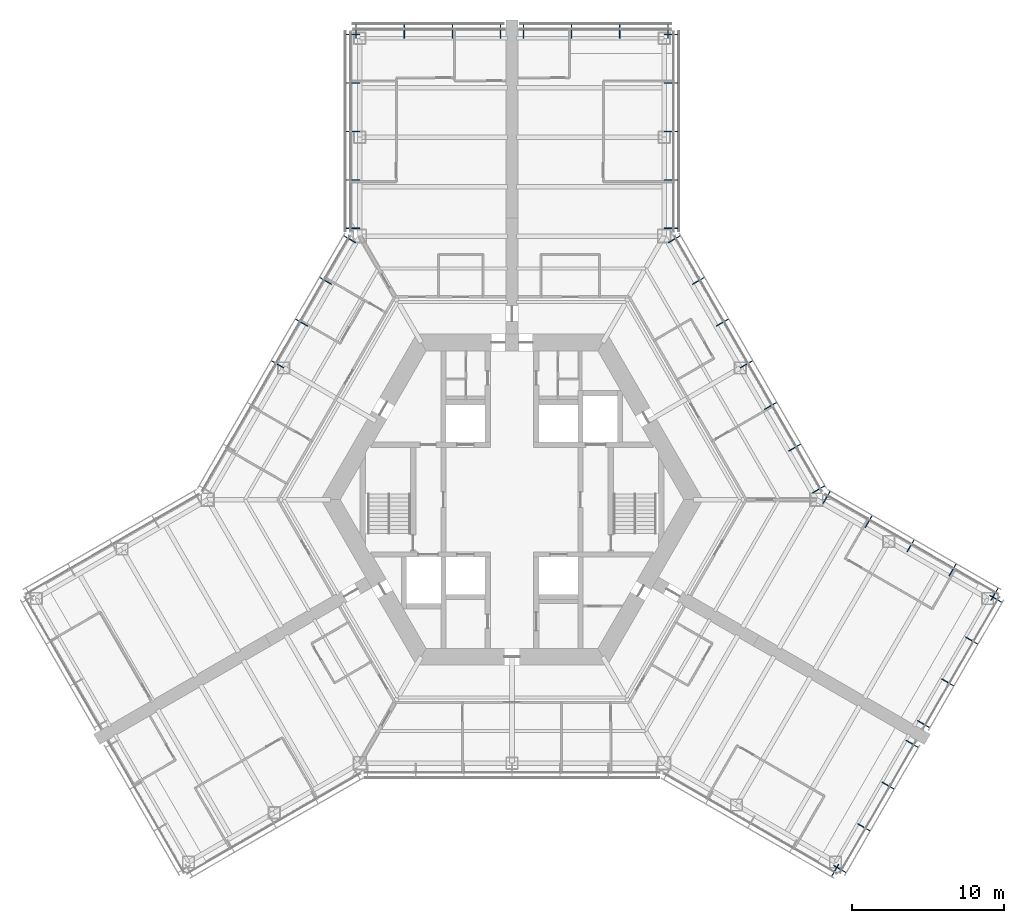
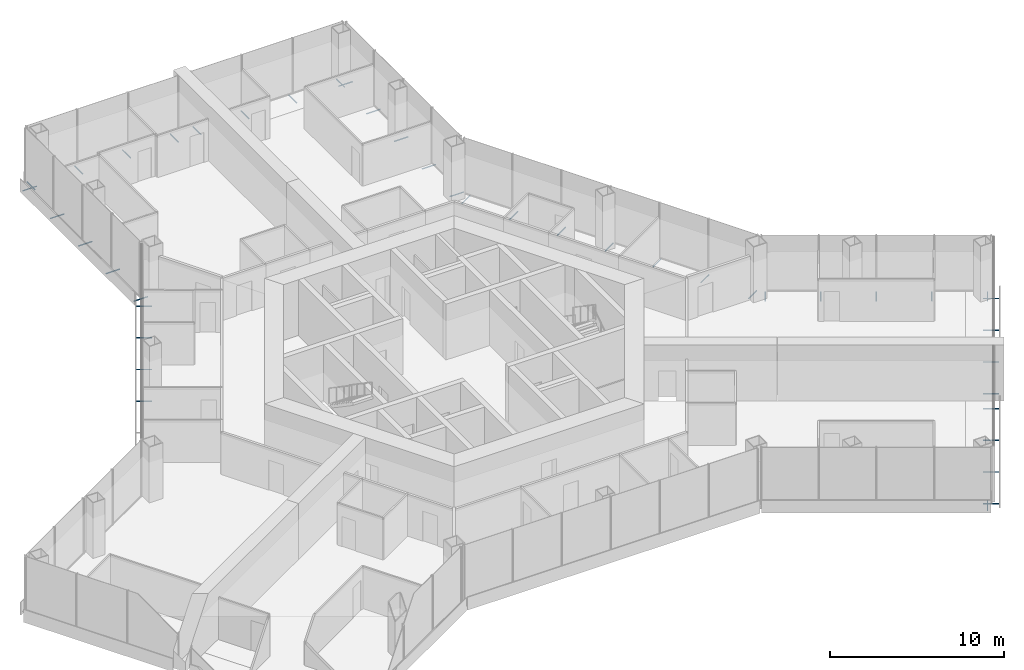
# One storey, part 17 of 19: 43 discrete accessories.
"""IFC4 building model written with IfcOpenShell, lengths in metres."""

from ifc_helpers import new_model, si_unit, direction, frame, origin, origin_2d, place, context, subcontext, project, spatial, hollow_circle, extrude, material, material_profile, profile_set, type_object, element, save


model = new_model("IFC4")

# Units and contexts
model_context = context("Model", 3, precision=1e-05, world=origin(), true_north=direction((0.0, 1.0)))
body_context = subcontext(model_context, "Body", "Model", "MODEL_VIEW")
ifc_project = project(units=[si_unit("LENGTHUNIT", "METRE"), si_unit("AREAUNIT", "SQUARE_METRE"), si_unit("VOLUMEUNIT", "CUBIC_METRE"), si_unit("PLANEANGLEUNIT", "RADIAN"), si_unit("MASSUNIT", "GRAM", prefix="KILO")], contexts=[model_context])

# Site, building, storey
site_placement = place(None, origin())
site = spatial("IfcSite", under=ifc_project, at=site_placement, CompositionType="ELEMENT")
building_placement = place(site_placement, origin())
building = spatial("IfcBuilding", under=site, at=building_placement, Name="Kasaneha Research Tower", CompositionType="ELEMENT")
storey_placement = place(building_placement, frame((0.0, 0.0, 92.39990234375)))
storey = spatial("IfcBuildingStorey", under=building, at=storey_placement, Name="L23", CompositionType="ELEMENT", Elevation=92.39990234375)

# Discrete accessories
ifc_material = material(Name="Steel STK400", Category="steel")
ifc_material_profile = material_profile(ifc_material, hollow_circle(Radius=0.0380859375, WallThickness=0.00390625, at=origin_2d()), Name="CHS-76.3x4.0")
ifc_profile_set = profile_set([ifc_material_profile], Name="Steel STK400")
discrete_accessory_type = type_object("IfcDiscreteAccessoryType", Name="Screen bracket CHS-76.3x4.0", PredefinedType="BRACKET", material=ifc_profile_set)
discrete_accessory_1_placement = place(storey_placement, frame((21.474853515625, -23.945556640625, -0.2998046875), z_axis=(-0.500021113727, -0.866013213425, 0.0), x_axis=(0.866013213425, -0.500021113727, 0.0)))
element("IfcDiscreteAccessory", 1, at=discrete_accessory_1_placement, inside=storey, type_object=discrete_accessory_type, Name="Screen bracket 5", PredefinedType="BRACKET", context=body_context, shape_type="SweptSolid", body=[
    extrude(hollow_circle(Radius=0.0380859375, WallThickness=0.00390625, at=origin_2d()), origin(), (0.0, 0.0, 1.0), 0.919921875),
])
for number, where, z_axis, x_axis, name in (
    (2, (21.13330078125, -24.037109375, -0.2998046875), (0.866079547155, -0.499906209203, 0.0), (0.499906209203, 0.866079547155, 0.0), "Screen bracket 1"),
    (3, (22.716552734375, -21.294677734375, -0.2998046875), (0.866079547155, -0.499906209203, 0.0), (0.499906209203, 0.866079547155, 0.0), "Screen bracket 2"),
):
    element("IfcDiscreteAccessory", number, at=place(storey_placement, frame(where, z_axis=z_axis, x_axis=x_axis)), inside=storey, type_object=discrete_accessory_type, Name=name, PredefinedType="BRACKET", context=body_context, shape_type="SweptSolid", body=[
        extrude(hollow_circle(Radius=0.0380859375, WallThickness=0.00390625, at=origin_2d()), origin(), (0.0, 0.0, 1.0), 0.920166015625),
    ])
discrete_accessory_2_placement = place(storey_placement, frame((24.300048828125, -18.55224609375, -0.2998046875), z_axis=(0.866013213425, -0.500021113727, 0.0), x_axis=(0.500021113727, 0.866013213425, 0.0)))
element("IfcDiscreteAccessory", 4, at=discrete_accessory_2_placement, inside=storey, type_object=discrete_accessory_type, Name="Screen bracket 3", PredefinedType="BRACKET", context=body_context, shape_type="SweptSolid", body=[
    extrude(hollow_circle(Radius=0.0380859375, WallThickness=0.00390625, at=origin_2d()), origin(), (0.0, 0.0, 1.0), 0.919921875),
])
for number, where, z_axis, x_axis, name in (
    (5, (25.88330078125, -15.809814453125, -0.2998046875), (0.866079547155, -0.499906209203, 0.0), (0.499906209203, 0.866079547155, 0.0), "Screen bracket 4"),
    (6, (26.63330078125, -14.5107421875, -0.2998046875), (0.866079547155, -0.499906209203, 0.0), (0.499906209203, 0.866079547155, 0.0), "Screen bracket 1"),
    (7, (28.216552734375, -11.768310546875, -0.2998046875), (0.866079547155, -0.499906209203, 0.0), (0.499906209203, 0.866079547155, 0.0), "Screen bracket 2"),
):
    element("IfcDiscreteAccessory", number, at=place(storey_placement, frame(where, z_axis=z_axis, x_axis=x_axis)), inside=storey, type_object=discrete_accessory_type, Name=name, PredefinedType="BRACKET", context=body_context, shape_type="SweptSolid", body=[
        extrude(hollow_circle(Radius=0.0380859375, WallThickness=0.00390625, at=origin_2d()), origin(), (0.0, 0.0, 1.0), 0.920166015625),
    ])
discrete_accessory_3_placement = place(storey_placement, frame((29.800048828125, -9.02587890625, -0.2998046875), z_axis=(0.866013213425, -0.500021113727, 0.0), x_axis=(0.500021113727, 0.866013213425, 0.0)))
element("IfcDiscreteAccessory", 8, at=discrete_accessory_3_placement, inside=storey, type_object=discrete_accessory_type, Name="Screen bracket 3", PredefinedType="BRACKET", context=body_context, shape_type="SweptSolid", body=[
    extrude(hollow_circle(Radius=0.0380859375, WallThickness=0.00390625, at=origin_2d()), origin(), (0.0, 0.0, 1.0), 0.919921875),
])
discrete_accessory_4_placement = place(storey_placement, frame((31.38330078125, -6.283447265625, -0.2998046875), z_axis=(0.866079547155, -0.499906209203, 0.0), x_axis=(0.499906209203, 0.866079547155, 0.0)))
element("IfcDiscreteAccessory", 9, at=discrete_accessory_4_placement, inside=storey, type_object=discrete_accessory_type, Name="Screen bracket 4", PredefinedType="BRACKET", context=body_context, shape_type="SweptSolid", body=[
    extrude(hollow_circle(Radius=0.0380859375, WallThickness=0.00390625, at=origin_2d()), origin(), (0.0, 0.0, 1.0), 0.920166015625),
])
discrete_accessory_5_placement = place(storey_placement, frame((31.474853515625, -6.625, -0.2998046875), z_axis=(0.500021113727, 0.866013213425, 0.0), x_axis=(-0.866013213425, 0.500021113727, 0.0)))
element("IfcDiscreteAccessory", 10, at=discrete_accessory_5_placement, inside=storey, type_object=discrete_accessory_type, Name="Screen bracket 1", PredefinedType="BRACKET", context=body_context, shape_type="SweptSolid", body=[
    extrude(hollow_circle(Radius=0.0380859375, WallThickness=0.00390625, at=origin_2d()), origin(), (0.0, 0.0, 1.0), 0.919921875),
])
discrete_accessory_6_placement = place(storey_placement, frame((28.716796875, -5.03271484375, -0.2998046875), z_axis=(0.499906209203, 0.866079547155, 0.0), x_axis=(-0.866079547155, 0.499906209203, 0.0)))
element("IfcDiscreteAccessory", 11, at=discrete_accessory_6_placement, inside=storey, type_object=discrete_accessory_type, Name="Screen bracket 2", PredefinedType="BRACKET", context=body_context, shape_type="SweptSolid", body=[
    extrude(hollow_circle(Radius=0.0380859375, WallThickness=0.00390625, at=origin_2d()), origin(), (0.0, 0.0, 1.0), 0.920166015625),
])
discrete_accessory_7_placement = place(storey_placement, frame((25.95849609375, -3.440185546875, -0.2998046875), z_axis=(0.500220121494, 0.865898279276, 0.0), x_axis=(-0.865898279276, 0.500220121494, 0.0)))
element("IfcDiscreteAccessory", 12, at=discrete_accessory_7_placement, inside=storey, type_object=discrete_accessory_type, Name="Screen bracket 3", PredefinedType="BRACKET", context=body_context, shape_type="SweptSolid", body=[
    extrude(hollow_circle(Radius=0.0380859375, WallThickness=0.00390625, at=origin_2d()), origin(), (0.0, 0.0, 1.0), 0.919921875),
])
discrete_accessory_8_placement = place(storey_placement, frame((23.200439453125, -1.847900390625, -0.2998046875), z_axis=(0.499906209203, 0.866079547155, 0.0), x_axis=(-0.866079547155, 0.499906209203, 0.0)))
element("IfcDiscreteAccessory", 13, at=discrete_accessory_8_placement, inside=storey, type_object=discrete_accessory_type, Name="Screen bracket 4", PredefinedType="BRACKET", context=body_context, shape_type="SweptSolid", body=[
    extrude(hollow_circle(Radius=0.0380859375, WallThickness=0.00390625, at=origin_2d()), origin(), (0.0, 0.0, 1.0), 0.920166015625),
])
for number, where, z_axis, x_axis, name in (
    (14, (20.4423828125, -0.25537109375, -0.2998046875), (0.500021113727, 0.866013213425, 0.0), (-0.866013213425, 0.500021113727, 0.0), "Screen bracket 5"),
    (15, (19.74462890625, 0.4423828125, -0.2998046875), (0.866013213425, 0.500021113727, 0.0), (-0.500021113727, 0.866013213425, 0.0), "Screen bracket 1"),
    (16, (18.1630859375, 3.181640625, -0.2998046875), (0.866013213425, 0.500021113727, 0.0), (-0.500021113727, 0.866013213425, 0.0), "Screen bracket 2"),
    (17, (16.58154296875, 5.9208984375, -0.2998046875), (0.866013213425, 0.500021113727, 0.0), (-0.500021113727, 0.866013213425, 0.0), "Screen bracket 3"),
    (18, (15.0, 8.66015625, -0.2998046875), (0.865898279276, 0.500220121494, 0.0), (-0.500220121494, 0.865898279276, 0.0), "Screen bracket 4"),
    (19, (13.41845703125, 11.399658203125, -0.2998046875), (0.866013213425, 0.500021113727, 0.0), (-0.500021113727, 0.866013213425, 0.0), "Screen bracket 5"),
    (20, (11.8369140625, 14.138916015625, -0.2998046875), (0.866013213425, 0.500021113727, 0.0), (-0.500021113727, 0.866013213425, 0.0), "Screen bracket 6"),
):
    element("IfcDiscreteAccessory", number, at=place(storey_placement, frame(where, z_axis=z_axis, x_axis=x_axis)), inside=storey, type_object=discrete_accessory_type, Name=name, PredefinedType="BRACKET", context=body_context, shape_type="SweptSolid", body=[
        extrude(hollow_circle(Radius=0.0380859375, WallThickness=0.00390625, at=origin_2d()), origin(), (0.0, 0.0, 1.0), 0.919921875),
    ])
discrete_accessory_9_placement = place(storey_placement, frame((10.25537109375, 16.878173828125, -0.2998046875), z_axis=(0.866079547155, 0.499906209203, 0.0), x_axis=(-0.499906209203, 0.866079547155, 0.0)))
element("IfcDiscreteAccessory", 21, at=discrete_accessory_9_placement, inside=storey, type_object=discrete_accessory_type, Name="Screen bracket 7", PredefinedType="BRACKET", context=body_context, shape_type="SweptSolid", body=[
    extrude(hollow_circle(Radius=0.0380859375, WallThickness=0.00390625, at=origin_2d()), origin(), (0.0, 0.0, 1.0), 0.920166015625),
])
for number, where, z_axis, x_axis, name in (
    (22, (10.0, 17.831298828125, -0.2998046875), (1.0, 0.0, 0.0), (0.0, 1.0, 0.0), "Screen bracket 1"),
    (23, (10.0, 21.01611328125, -0.2998046875), (1.0, 0.0, 0.0), (0.0, 1.0, 0.0), "Screen bracket 2"),
    (24, (10.0, 24.200927734375, -0.2998046875), (1.0, 0.0, 0.0), (0.0, 1.0, 0.0), "Screen bracket 3"),
    (25, (10.0, 27.3857421875, -0.2998046875), (1.0, 0.0, 0.0), (0.0, 1.0, 0.0), "Screen bracket 4"),
    (26, (10.0, 30.570556640625, -0.2998046875), (1.0, 0.0, 0.0), (0.0, 1.0, 0.0), "Screen bracket 5"),
    (27, (10.25, 30.320556640625, -0.2998046875), (0.0, 1.0, 0.0), (-1.0, 0.0, 0.0), "Screen bracket 1"),
    (28, (7.083251953125, 30.320556640625, -0.2998046875), (0.0, 1.0, 0.0), (-1.0, 0.0, 0.0), "Screen bracket 2"),
    (29, (3.916748046875, 30.320556640625, -0.2998046875), (0.0, 1.0, 0.0), (-1.0, 0.0, 0.0), "Screen bracket 3"),
    (30, (0.75, 30.320556640625, -0.2998046875), (0.0, 1.0, 0.0), (-1.0, 0.0, 0.0), "Screen bracket 4"),
    (31, (-0.75, 30.320556640625, -0.2998046875), (0.0, 1.0, 0.0), (-1.0, 0.0, 0.0), "Screen bracket 1"),
    (32, (-3.916748046875, 30.320556640625, -0.2998046875), (0.0, 1.0, 0.0), (-1.0, 0.0, 0.0), "Screen bracket 2"),
    (33, (-7.083251953125, 30.320556640625, -0.2998046875), (0.0, 1.0, 0.0), (-1.0, 0.0, 0.0), "Screen bracket 3"),
    (34, (-10.25, 30.320556640625, -0.2998046875), (0.0, 1.0, 0.0), (-1.0, 0.0, 0.0), "Screen bracket 4"),
    (35, (-10.0, 30.570556640625, -0.2998046875), (-1.0, 0.0, 0.0), (0.0, -1.0, 0.0), "Screen bracket 1"),
    (36, (-10.0, 27.3857421875, -0.2998046875), (-1.0, 0.0, 0.0), (0.0, -1.0, 0.0), "Screen bracket 2"),
    (37, (-10.0, 24.200927734375, -0.2998046875), (-1.0, 0.0, 0.0), (0.0, -1.0, 0.0), "Screen bracket 3"),
    (38, (-10.0, 21.01611328125, -0.2998046875), (-1.0, 0.0, 0.0), (0.0, -1.0, 0.0), "Screen bracket 4"),
    (39, (-10.0, 17.831298828125, -0.2998046875), (-1.0, 0.0, 0.0), (0.0, -1.0, 0.0), "Screen bracket 5"),
):
    element("IfcDiscreteAccessory", number, at=place(storey_placement, frame(where, z_axis=z_axis, x_axis=x_axis)), inside=storey, type_object=discrete_accessory_type, Name=name, PredefinedType="BRACKET", context=body_context, shape_type="SweptSolid", body=[
        extrude(hollow_circle(Radius=0.0380859375, WallThickness=0.00390625, at=origin_2d()), origin(), (0.0, 0.0, 1.0), 0.919921875),
    ])
discrete_accessory_10_placement = place(storey_placement, frame((-10.25537109375, 16.878173828125, -0.2998046875), z_axis=(-0.866079547155, 0.499906209203, 0.0), x_axis=(-0.499906209203, -0.866079547155, 0.0)))
element("IfcDiscreteAccessory", 40, at=discrete_accessory_10_placement, inside=storey, type_object=discrete_accessory_type, Name="Screen bracket 1", PredefinedType="BRACKET", context=body_context, shape_type="SweptSolid", body=[
    extrude(hollow_circle(Radius=0.0380859375, WallThickness=0.00390625, at=origin_2d()), origin(), (0.0, 0.0, 1.0), 0.920166015625),
])
for number, where, z_axis, x_axis, name in (
    (41, (-11.8369140625, 14.138916015625, -0.2998046875), (-0.866013213425, 0.500021113727, 0.0), (-0.500021113727, -0.866013213425, 0.0), "Screen bracket 2"),
    (42, (-13.41845703125, 11.399658203125, -0.2998046875), (-0.866013213425, 0.500021113727, 0.0), (-0.500021113727, -0.866013213425, 0.0), "Screen bracket 3"),
    (43, (-15.0, 8.66015625, -0.2998046875), (-0.865898279276, 0.500220121494, 0.0), (-0.500220121494, -0.865898279276, 0.0), "Screen bracket 4"),
):
    element("IfcDiscreteAccessory", number, at=place(storey_placement, frame(where, z_axis=z_axis, x_axis=x_axis)), inside=storey, type_object=discrete_accessory_type, Name=name, PredefinedType="BRACKET", context=body_context, shape_type="SweptSolid", body=[
        extrude(hollow_circle(Radius=0.0380859375, WallThickness=0.00390625, at=origin_2d()), origin(), (0.0, 0.0, 1.0), 0.919921875),
    ])

save(model, "model.ifc")
